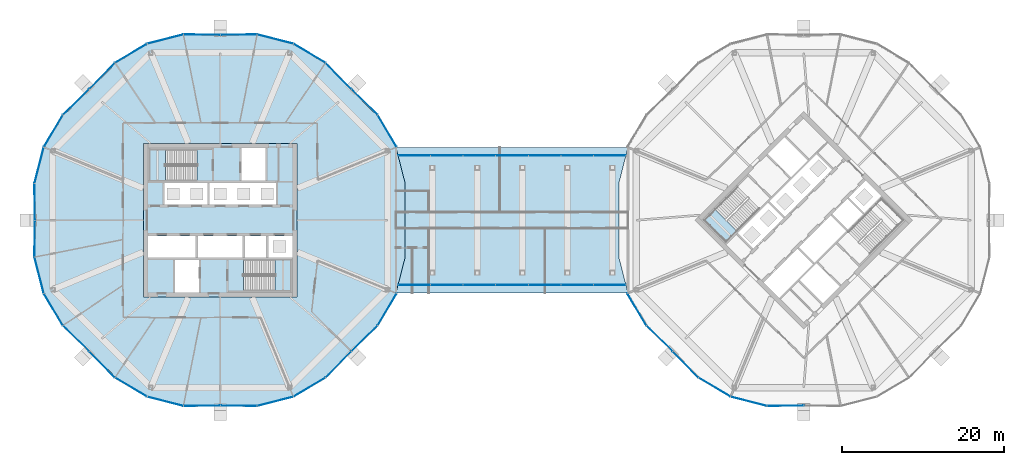
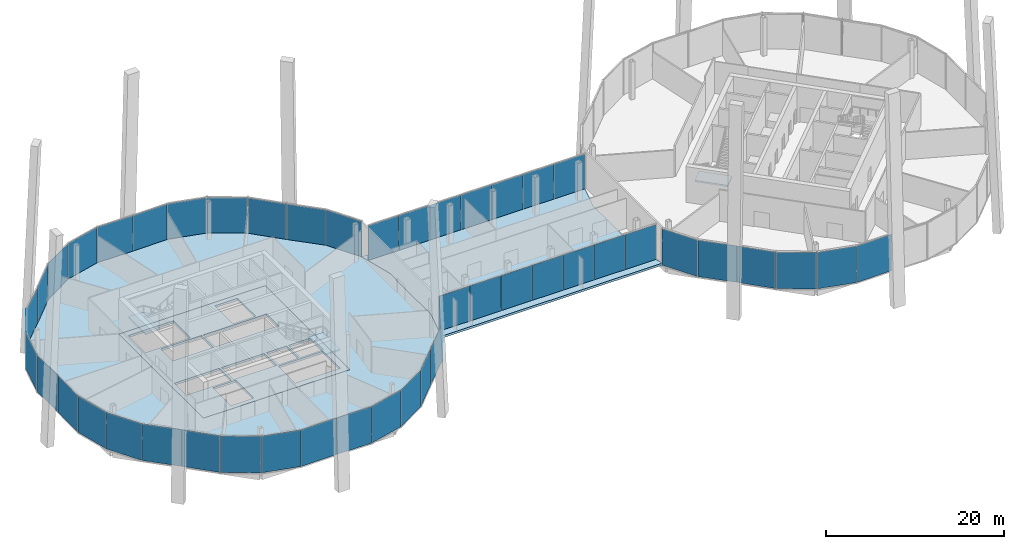
# One storey, part 17 of 28: 48 plates, 6 slabs, 15 elements without a shape of their own.
"""IFC4 building model written with IfcOpenShell, lengths in metres."""

from ifc_helpers import new_model, si_unit, direction, frame, origin, origin_2d, place, context, subcontext, project, spatial, polyline, rectangle, outline, extrude, material, layer, layer_set, type_object, element, aggregate, save


model = new_model("IFC4")

# Units and contexts
model_context = context("Model", 3, precision=1e-05, world=origin(), true_north=direction((0.0, 1.0)))
body_context = subcontext(model_context, "Body", "Model", "MODEL_VIEW")
ifc_project = project(units=[si_unit("LENGTHUNIT", "METRE"), si_unit("AREAUNIT", "SQUARE_METRE"), si_unit("VOLUMEUNIT", "CUBIC_METRE"), si_unit("PLANEANGLEUNIT", "RADIAN"), si_unit("MASSUNIT", "GRAM", prefix="KILO")], contexts=[model_context])

# Site, building, storey
site_placement = place(None, origin())
site = spatial("IfcSite", under=ifc_project, at=site_placement, CompositionType="ELEMENT")
building_placement = place(site_placement, origin())
building = spatial("IfcBuilding", under=site, at=building_placement, Name="Ogive Gate Towers", CompositionType="ELEMENT")
storey_placement = place(building_placement, frame((0.0, 0.0, 135.60009765625)))
storey = spatial("IfcBuildingStorey", under=building, at=storey_placement, Name="L32", CompositionType="ELEMENT", Elevation=135.60009765625)

# Slabs
ifc_material_1 = material(Name="Concrete C40/50", Category="concrete")
ifc_layer_1 = layer(ifc_material_1, 0.300048828125)
ifc_layer_set_1 = layer_set([ifc_layer_1], Name="Core slab C40/50 300 mm")
slab_type_1 = type_object("IfcSlabType", Name="Core slab C40/50 300 mm", PredefinedType="FLOOR", material=ifc_layer_set_1)
slab_1_placement = place(storey_placement, frame((0.0, 0.0, -0.300048828125)))
element("IfcSlab", 1, at=slab_1_placement, inside=storey, type_object=slab_type_1, Name="T1 L32 core slab", PredefinedType="FLOOR", context=body_context, shape_type="SweptSolid", body=[
    extrude(outline(polyline([(-26.5, 9.5), (-26.5, -9.5), (-45.5, -9.5), (-45.5, 9.5), (-26.5, 9.5)]), holes=[polyline([(-37.574951171875, 4.625), (-42.875, 4.625), (-42.875, 1.949951171875), (-37.574951171875, 1.949951171875), (-37.574951171875, 4.625)]), polyline([(-29.125, 1.949951171875), (-29.125, 4.625), (-37.324951171875, 4.625), (-37.324951171875, 1.949951171875), (-29.125, 1.949951171875)]), polyline([(-44.89990234375, -4.625), (-39.02490234375, -4.625), (-39.02490234375, -1.949951171875), (-44.89990234375, -1.949951171875), (-44.89990234375, -4.625)]), polyline([(-38.77490234375, -1.949951171875), (-38.77490234375, -4.625), (-33.22509765625, -4.625), (-33.22509765625, -1.949951171875), (-38.77490234375, -1.949951171875)]), polyline([(-30.324951171875, -1.949951171875), (-32.97509765625, -1.949951171875), (-32.97509765625, -4.625), (-30.324951171875, -4.625), (-30.324951171875, -1.949951171875)]), polyline([(-27.10009765625, -4.625), (-27.10009765625, -1.949951171875), (-30.074951171875, -1.949951171875), (-30.074951171875, -4.625), (-27.10009765625, -4.625)]), polyline([(-33.375, 4.875), (-30.425048828125, 4.875), (-30.425048828125, 8.89990234375), (-33.375, 8.89990234375), (-33.375, 4.875)]), polyline([(-41.574951171875, -4.875), (-41.574951171875, -8.89990234375), (-38.625, -8.89990234375), (-38.625, -4.875), (-41.574951171875, -4.875)]), polyline([(-44.699951171875, 4.875), (-38.885009765625, 4.875), (-38.885009765625, 8.699951171875), (-44.699951171875, 8.699951171875), (-44.699951171875, 4.875)]), polyline([(-27.300048828125, -8.699951171875), (-27.300048828125, -4.875), (-33.114990234375, -4.875), (-33.114990234375, -8.699951171875), (-27.300048828125, -8.699951171875)])]), origin(), (0.0, 0.0, 1.0), 0.300048828125),
])
ifc_material_2 = material(Name="Concrete C35/45", Category="concrete")
ifc_layer_2 = layer(ifc_material_2, 0.300048828125)
ifc_layer_set_2 = layer_set([ifc_layer_2], Name="Floor slab 300")
slab_type_2 = type_object("IfcSlabType", Name="Floor slab 300", PredefinedType="FLOOR", material=ifc_layer_set_2)
slab_2_placement = place(storey_placement, frame((0.0, 0.0, -0.300048828125)))
element("IfcSlab", 2, at=slab_2_placement, inside=storey, type_object=slab_type_2, Name="T1/L32/SSL001", PredefinedType="FLOOR", context=body_context, shape_type="SweptSolid", body=[
    extrude(outline(polyline([(-13.17724609375, -4.539794921875), (-13.22998046875, 0.0), (-13.17724609375, 4.539794921875), (-14.316650390625, 8.981689453125), (-16.651611328125, 12.92822265625), (-19.899169921875, 16.100830078125), (-23.07177734375, 19.348388671875), (-27.018310546875, 21.683349609375), (-31.460205078125, 22.82275390625), (-36.0, 22.77001953125), (-40.539794921875, 22.82275390625), (-44.981689453125, 21.683349609375), (-48.92822265625, 19.348388671875), (-52.100830078125, 16.100830078125), (-55.348388671875, 12.92822265625), (-57.683349609375, 8.981689453125), (-58.82275390625, 4.539794921875), (-58.77001953125, 0.0), (-58.82275390625, -4.539794921875), (-57.683349609375, -8.981689453125), (-55.348388671875, -12.92822265625), (-52.100830078125, -16.100830078125), (-48.92822265625, -19.348388671875), (-44.981689453125, -21.683349609375), (-40.539794921875, -22.82275390625), (-36.0, -22.77001953125), (-31.460205078125, -22.82275390625), (-27.018310546875, -21.683349609375), (-23.07177734375, -19.348388671875), (-19.899169921875, -16.100830078125), (-16.651611328125, -12.92822265625), (-14.316650390625, -8.981689453125), (-13.17724609375, -4.539794921875)]), holes=[polyline([(-26.5, -9.5), (-45.5, -9.5), (-45.5, 9.5), (-26.5, 9.5), (-26.5, -9.5)])]), origin(), (0.0, 0.0, 1.0), 0.300048828125),
])
slab_3_placement = place(storey_placement, frame((0.0, 0.0, -0.300048828125)))
element("IfcSlab", 3, at=slab_3_placement, inside=storey, type_object=slab_type_2, Name="BR/L32/SSL001", PredefinedType="FLOOR", context=body_context, shape_type="SweptSolid", body=[
    extrude(outline(polyline([(-14.316650390625, -8.981689453125), (14.316650390625, -8.981689453125), (14.316650390625, -8.981689453125), (13.17724609375, -4.539794921875), (13.22998046875, 0.0), (13.17724609375, 4.539794921875), (14.316650390625, 8.981689453125), (-14.316650390625, 8.981689453125), (-13.17724609375, 4.539794921875), (-13.22998046875, 0.0), (-13.17724609375, -4.539794921875), (-14.316650390625, -8.981689453125), (-14.316650390625, -8.981689453125)])), origin(), (0.0, 0.0, 1.0), 0.300048828125),
])

# Curtain wall, plates
ifc_material_3 = material(Name="Pale metal aluminium", Category="aluminium")
curtain_wall_type_1 = type_object("IfcCurtainWallType", Name="Gate block facade", PredefinedType="NOTDEFINED", material=ifc_material_3)
curtain_wall_1_placement = place(storey_placement, origin())
curtain_wall_1 = element("IfcCurtainWall", 4, at=curtain_wall_1_placement, inside=storey, type_object=curtain_wall_type_1, Name="CW3 BR ECW01", PredefinedType="NOTDEFINED")
ifc_material_4 = material(Name="Clear glass", Category="glass")
ifc_layer_3 = layer(ifc_material_4, 0.028076171875)
ifc_layer_set_3 = layer_set([ifc_layer_3], Name="Gate block facade glass panel")
plate_type_1 = type_object("IfcPlateType", Name="Gate block facade glass panel", PredefinedType="CURTAIN_PANEL", material=ifc_layer_set_3)
plate_1_placement = place(storey_placement, frame((-12.051513671875, -7.981689453125, -0.300048828125), z_axis=(0.0, 0.0, 1.0), x_axis=(1.0, 0.0, 0.0)))
plate_1 = element("IfcPlate", 5, at=plate_1_placement, type_object=plate_type_1, Name="CW3 glass panel", PredefinedType="CURTAIN_PANEL", context=body_context, shape_type="SweptSolid", body=[
    extrude(rectangle(XDim=3.963134765625, YDim=0.028076171875, at=origin_2d()), origin(), (0.0, 0.0, 1.0), 5.083984375),
])
plate_2_placement = place(storey_placement, frame((-8.0341796875, -7.981689453125, -0.300048828125), z_axis=(0.0, 0.0, 1.0), x_axis=(1.0, 0.0, 0.0)))
plate_2 = element("IfcPlate", 6, at=plate_2_placement, type_object=plate_type_1, Name="CW3 glass panel", PredefinedType="CURTAIN_PANEL", context=body_context, shape_type="SweptSolid", body=[
    extrude(rectangle(XDim=3.963134765625, YDim=0.028076171875, at=origin_2d()), origin(), (0.0, 0.0, 1.0), 5.083984375),
])
plate_3_placement = place(storey_placement, frame((-4.01708984375, -7.981689453125, -0.300048828125), z_axis=(0.0, 0.0, 1.0), x_axis=(1.0, 0.0, 0.0)))
plate_3 = element("IfcPlate", 7, at=plate_3_placement, type_object=plate_type_1, Name="CW3 glass panel", PredefinedType="CURTAIN_PANEL", context=body_context, shape_type="SweptSolid", body=[
    extrude(rectangle(XDim=3.963134765625, YDim=0.028076171875, at=origin_2d()), origin(), (0.0, 0.0, 1.0), 5.083984375),
])
plate_4_placement = place(storey_placement, frame((0.0, -7.981689453125, -0.300048828125), z_axis=(0.0, 0.0, 1.0), x_axis=(1.0, 0.0, 0.0)))
plate_4 = element("IfcPlate", 8, at=plate_4_placement, type_object=plate_type_1, Name="CW3 glass panel", PredefinedType="CURTAIN_PANEL", context=body_context, shape_type="SweptSolid", body=[
    extrude(rectangle(XDim=3.963134765625, YDim=0.028076171875, at=origin_2d()), origin(), (0.0, 0.0, 1.0), 5.083984375),
])
plate_5_placement = place(storey_placement, frame((4.01708984375, -7.981689453125, -0.300048828125), z_axis=(0.0, 0.0, 1.0), x_axis=(1.0, 0.0, 0.0)))
plate_5 = element("IfcPlate", 9, at=plate_5_placement, type_object=plate_type_1, Name="CW3 glass panel", PredefinedType="CURTAIN_PANEL", context=body_context, shape_type="SweptSolid", body=[
    extrude(rectangle(XDim=3.963134765625, YDim=0.028076171875, at=origin_2d()), origin(), (0.0, 0.0, 1.0), 5.083984375),
])
plate_6_placement = place(storey_placement, frame((8.0341796875, -7.981689453125, -0.300048828125), z_axis=(0.0, 0.0, 1.0), x_axis=(1.0, 0.0, 0.0)))
plate_6 = element("IfcPlate", 10, at=plate_6_placement, type_object=plate_type_1, Name="CW3 glass panel", PredefinedType="CURTAIN_PANEL", context=body_context, shape_type="SweptSolid", body=[
    extrude(rectangle(XDim=3.963134765625, YDim=0.028076171875, at=origin_2d()), origin(), (0.0, 0.0, 1.0), 5.083984375),
])
plate_7_placement = place(storey_placement, frame((12.051513671875, -7.981689453125, -0.300048828125), z_axis=(0.0, 0.0, 1.0), x_axis=(1.0, 0.0, 0.0)))
plate_7 = element("IfcPlate", 11, at=plate_7_placement, type_object=plate_type_1, Name="CW3 glass panel", PredefinedType="CURTAIN_PANEL", context=body_context, shape_type="SweptSolid", body=[
    extrude(rectangle(XDim=3.963134765625, YDim=0.028076171875, at=origin_2d()), origin(), (0.0, 0.0, 1.0), 5.083984375),
])
aggregate(curtain_wall_1, [plate_1, plate_2, plate_3, plate_4, plate_5, plate_6, plate_7])

curtain_wall_2_placement = place(storey_placement, origin())
curtain_wall_2 = element("IfcCurtainWall", 12, at=curtain_wall_2_placement, inside=storey, type_object=curtain_wall_type_1, Name="CW3 BR ECW02", PredefinedType="NOTDEFINED")
plate_8_placement = place(storey_placement, frame((12.051513671875, 7.981689453125, -0.300048828125), z_axis=(0.0, 0.0, 1.0), x_axis=(-1.0, 0.0, 0.0)))
plate_8 = element("IfcPlate", 13, at=plate_8_placement, type_object=plate_type_1, Name="CW3 glass panel", PredefinedType="CURTAIN_PANEL", context=body_context, shape_type="SweptSolid", body=[
    extrude(rectangle(XDim=3.963134765625, YDim=0.028076171875, at=origin_2d()), origin(), (0.0, 0.0, 1.0), 5.083984375),
])
plate_9_placement = place(storey_placement, frame((8.0341796875, 7.981689453125, -0.300048828125), z_axis=(0.0, 0.0, 1.0), x_axis=(-1.0, 0.0, 0.0)))
plate_9 = element("IfcPlate", 14, at=plate_9_placement, type_object=plate_type_1, Name="CW3 glass panel", PredefinedType="CURTAIN_PANEL", context=body_context, shape_type="SweptSolid", body=[
    extrude(rectangle(XDim=3.963134765625, YDim=0.028076171875, at=origin_2d()), origin(), (0.0, 0.0, 1.0), 5.083984375),
])
plate_10_placement = place(storey_placement, frame((4.01708984375, 7.981689453125, -0.300048828125), z_axis=(0.0, 0.0, 1.0), x_axis=(-1.0, 0.0, 0.0)))
plate_10 = element("IfcPlate", 15, at=plate_10_placement, type_object=plate_type_1, Name="CW3 glass panel", PredefinedType="CURTAIN_PANEL", context=body_context, shape_type="SweptSolid", body=[
    extrude(rectangle(XDim=3.963134765625, YDim=0.028076171875, at=origin_2d()), origin(), (0.0, 0.0, 1.0), 5.083984375),
])
plate_11_placement = place(storey_placement, frame((0.0, 7.981689453125, -0.300048828125), z_axis=(0.0, 0.0, 1.0), x_axis=(-1.0, 0.0, 0.0)))
plate_11 = element("IfcPlate", 16, at=plate_11_placement, type_object=plate_type_1, Name="CW3 glass panel", PredefinedType="CURTAIN_PANEL", context=body_context, shape_type="SweptSolid", body=[
    extrude(rectangle(XDim=3.963134765625, YDim=0.028076171875, at=origin_2d()), origin(), (0.0, 0.0, 1.0), 5.083984375),
])
plate_12_placement = place(storey_placement, frame((-4.01708984375, 7.981689453125, -0.300048828125), z_axis=(0.0, 0.0, 1.0), x_axis=(-1.0, 0.0, 0.0)))
plate_12 = element("IfcPlate", 17, at=plate_12_placement, type_object=plate_type_1, Name="CW3 glass panel", PredefinedType="CURTAIN_PANEL", context=body_context, shape_type="SweptSolid", body=[
    extrude(rectangle(XDim=3.963134765625, YDim=0.028076171875, at=origin_2d()), origin(), (0.0, 0.0, 1.0), 5.083984375),
])
plate_13_placement = place(storey_placement, frame((-8.0341796875, 7.981689453125, -0.300048828125), z_axis=(0.0, 0.0, 1.0), x_axis=(-1.0, 0.0, 0.0)))
plate_13 = element("IfcPlate", 18, at=plate_13_placement, type_object=plate_type_1, Name="CW3 glass panel", PredefinedType="CURTAIN_PANEL", context=body_context, shape_type="SweptSolid", body=[
    extrude(rectangle(XDim=3.963134765625, YDim=0.028076171875, at=origin_2d()), origin(), (0.0, 0.0, 1.0), 5.083984375),
])
plate_14_placement = place(storey_placement, frame((-12.051513671875, 7.981689453125, -0.300048828125), z_axis=(0.0, 0.0, 1.0), x_axis=(-1.0, 0.0, 0.0)))
plate_14 = element("IfcPlate", 19, at=plate_14_placement, type_object=plate_type_1, Name="CW3 glass panel", PredefinedType="CURTAIN_PANEL", context=body_context, shape_type="SweptSolid", body=[
    extrude(rectangle(XDim=3.963134765625, YDim=0.028076171875, at=origin_2d()), origin(), (0.0, 0.0, 1.0), 5.083984375),
])
aggregate(curtain_wall_2, [plate_8, plate_9, plate_10, plate_11, plate_12, plate_13, plate_14])

# Stair, slab
stair_type = type_object("IfcStairType", Name="Escape stair 1840 wide", PredefinedType="HALF_TURN_STAIR", material=ifc_material_1)
stair_1_placement = place(storey_placement, origin())
stair_1 = element("IfcStair", 20, at=stair_1_placement, inside=storey, type_object=stair_type, Name="L32 Escape stair 1", PredefinedType="HALF_TURN_STAIR")
ifc_layer_4 = layer(ifc_material_1, 0.199951171875)
ifc_layer_set_4 = layer_set([ifc_layer_4], Name="Stair landing 200 mm")
slab_type_3 = type_object("IfcSlabType", Name="Stair landing 200 mm", PredefinedType="LANDING", material=ifc_layer_set_4)
slab_4_placement = place(storey_placement, frame((0.0, 0.0, 2.39990234375)))
slab_4 = element("IfcSlab", 21, at=slab_4_placement, type_object=slab_type_3, Name="ST1 landing 1", PredefinedType="LANDING", context=body_context, shape_type="SweptSolid", body=[
    extrude(outline(polyline([(-42.784912109375, 8.699951171875), (-44.699951171875, 8.699951171875), (-44.699951171875, 4.875), (-42.784912109375, 4.875), (-42.784912109375, 8.699951171875)])), origin(), (0.0, 0.0, 1.0), 0.199951171875),
])
aggregate(stair_1, [slab_4])

stair_2_placement = place(storey_placement, origin())
stair_2 = element("IfcStair", 22, at=stair_2_placement, inside=storey, type_object=stair_type, Name="L32 Escape stair 2", PredefinedType="HALF_TURN_STAIR")
slab_5_placement = place(storey_placement, frame((0.0, 0.0, 2.39990234375)))
slab_5 = element("IfcSlab", 23, at=slab_5_placement, type_object=slab_type_3, Name="ST2 landing 1", PredefinedType="LANDING", context=body_context, shape_type="SweptSolid", body=[
    extrude(outline(polyline([(-29.215087890625, -8.699951171875), (-27.300048828125, -8.699951171875), (-27.300048828125, -4.875), (-29.215087890625, -4.875), (-29.215087890625, -8.699951171875)])), origin(), (0.0, 0.0, 1.0), 0.199951171875),
])
aggregate(stair_2, [slab_5])

stair_3_placement = place(storey_placement, origin())
stair_3 = element("IfcStair", 24, at=stair_3_placement, inside=storey, type_object=stair_type, Name="L32 Escape stair 1", PredefinedType="HALF_TURN_STAIR")
slab_6_placement = place(storey_placement, frame((0.0, 0.0, 2.39990234375)))
slab_6 = element("IfcSlab", 25, at=slab_6_placement, type_object=slab_type_3, Name="ST1 landing 1", PredefinedType="LANDING", context=body_context, shape_type="SweptSolid", body=[
    extrude(outline(polyline([(25.050537109375, 1.35400390625), (23.6962890625, 0.0), (26.401123046875, -2.70458984375), (27.755126953125, -1.3505859375), (25.050537109375, 1.35400390625)])), origin(), (0.0, 0.0, 1.0), 0.199951171875),
])
aggregate(stair_3, [slab_6])

# Curtain wall, plates
curtain_wall_type_2 = type_object("IfcCurtainWallType", Name="Tower unitised wall, high zone", PredefinedType="NOTDEFINED", material=ifc_material_3)
curtain_wall_3_placement = place(storey_placement, origin())
curtain_wall_3 = element("IfcCurtainWall", 26, at=curtain_wall_3_placement, inside=storey, type_object=curtain_wall_type_2, Name="CW2 T1 ECW01", PredefinedType="NOTDEFINED")
ifc_layer_5 = layer(ifc_material_4, 0.028076171875)
ifc_layer_set_5 = layer_set([ifc_layer_5], Name="Tower unitised wall, high zone glass panel")
plate_type_2 = type_object("IfcPlateType", Name="Tower unitised wall, high zone glass panel", PredefinedType="CURTAIN_PANEL", material=ifc_layer_set_5)
plate_15_placement = place(storey_placement, frame((-15.396728515625, 11.003662109375, -0.2041015625), z_axis=(0.0, 0.0, 1.0), x_axis=(-0.509236698817, 0.860626507016, 0.0)))
plate_15 = element("IfcPlate", 27, at=plate_15_placement, type_object=plate_type_2, Name="CW2 glass panel", PredefinedType="CURTAIN_PANEL", context=body_context, shape_type="SweptSolid", body=[
    extrude(rectangle(XDim=4.555419921875, YDim=0.028076171875, at=origin_2d()), origin(), (0.0, 0.0, 1.0), 5.008056640625),
])
plate_16_placement = place(storey_placement, frame((-18.201904296875, 14.582275390625, -0.2041015625), z_axis=(0.0, 0.0, 1.0), x_axis=(-0.715302553421, 0.698814894711, 0.0)))
plate_16 = element("IfcPlate", 28, at=plate_16_placement, type_object=plate_type_2, Name="CW2 glass panel", PredefinedType="CURTAIN_PANEL", context=body_context, shape_type="SweptSolid", body=[
    extrude(rectangle(XDim=4.494140625, YDim=0.028076171875, at=origin_2d()), origin(), (0.0, 0.0, 1.0), 5.008056640625),
])
aggregate(curtain_wall_3, [plate_15, plate_16])

curtain_wall_4_placement = place(storey_placement, origin())
curtain_wall_4 = element("IfcCurtainWall", 29, at=curtain_wall_4_placement, inside=storey, type_object=curtain_wall_type_2, Name="CW2 T1 ECW02", PredefinedType="NOTDEFINED")
plate_17_placement = place(storey_placement, frame((-21.417724609375, 17.798095703125, -0.2041015625), z_axis=(0.0, 0.0, 1.0), x_axis=(-0.698814894711, 0.715302553421, 0.0)))
plate_17 = element("IfcPlate", 30, at=plate_17_placement, type_object=plate_type_2, Name="CW2 glass panel", PredefinedType="CURTAIN_PANEL", context=body_context, shape_type="SweptSolid", body=[
    extrude(rectangle(XDim=4.494140625, YDim=0.028076171875, at=origin_2d()), origin(), (0.0, 0.0, 1.0), 5.008056640625),
])
plate_18_placement = place(storey_placement, frame((-24.99462890625, 20.602294921875, -0.2041015625), z_axis=(0.0, 0.0, 1.0), x_axis=(-0.860626507016, 0.509236698817, 0.0)))
plate_18 = element("IfcPlate", 31, at=plate_18_placement, type_object=plate_type_2, Name="CW2 glass panel", PredefinedType="CURTAIN_PANEL", context=body_context, shape_type="SweptSolid", body=[
    extrude(rectangle(XDim=4.55126953125, YDim=0.028076171875, at=origin_2d()), origin(), (0.0, 0.0, 1.0), 5.008056640625),
])
plate_19_placement = place(storey_placement, frame((-29.214111328125, 22.349853515625, -0.2041015625), z_axis=(0.0, 0.0, 1.0), x_axis=(-0.968639562142, 0.248470116217, 0.0)))
plate_19 = element("IfcPlate", 32, at=plate_19_placement, type_object=plate_type_2, Name="CW2 glass panel", PredefinedType="CURTAIN_PANEL", context=body_context, shape_type="SweptSolid", body=[
    extrude(rectangle(XDim=4.55126953125, YDim=0.028076171875, at=origin_2d()), origin(), (0.0, 0.0, 1.0), 5.008056640625),
])
plate_20_placement = place(storey_placement, frame((-33.72607421875, 22.896484375, -0.2041015625), z_axis=(0.0, 0.0, 1.0), x_axis=(-0.999932240296, -0.011641083172, 0.0)))
plate_20 = element("IfcPlate", 33, at=plate_20_placement, type_object=plate_type_2, Name="CW2 glass panel", PredefinedType="CURTAIN_PANEL", context=body_context, shape_type="SweptSolid", body=[
    extrude(rectangle(XDim=4.494384765625, YDim=0.028076171875, at=origin_2d()), origin(), (0.0, 0.0, 1.0), 5.008056640625),
])
aggregate(curtain_wall_4, [plate_17, plate_18, plate_19, plate_20])

curtain_wall_5_placement = place(storey_placement, origin())
curtain_wall_5 = element("IfcCurtainWall", 34, at=curtain_wall_5_placement, inside=storey, type_object=curtain_wall_type_2, Name="CW2 T1 ECW03", PredefinedType="NOTDEFINED")
plate_21_placement = place(storey_placement, frame((-38.27392578125, 22.896484375, -0.2041015625), z_axis=(0.0, 0.0, 1.0), x_axis=(-0.999932240296, 0.011641083172, 0.0)))
plate_21 = element("IfcPlate", 35, at=plate_21_placement, type_object=plate_type_2, Name="CW2 glass panel", PredefinedType="CURTAIN_PANEL", context=body_context, shape_type="SweptSolid", body=[
    extrude(rectangle(XDim=4.494384765625, YDim=0.028076171875, at=origin_2d()), origin(), (0.0, 0.0, 1.0), 5.008056640625),
])
plate_22_placement = place(storey_placement, frame((-42.785888671875, 22.349853515625, -0.2041015625), z_axis=(0.0, 0.0, 1.0), x_axis=(-0.968639562142, -0.248470116217, 0.0)))
plate_22 = element("IfcPlate", 36, at=plate_22_placement, type_object=plate_type_2, Name="CW2 glass panel", PredefinedType="CURTAIN_PANEL", context=body_context, shape_type="SweptSolid", body=[
    extrude(rectangle(XDim=4.55126953125, YDim=0.028076171875, at=origin_2d()), origin(), (0.0, 0.0, 1.0), 5.008056640625),
])
plate_23_placement = place(storey_placement, frame((-47.00537109375, 20.602294921875, -0.2041015625), z_axis=(0.0, 0.0, 1.0), x_axis=(-0.860626507016, -0.509236698817, 0.0)))
plate_23 = element("IfcPlate", 37, at=plate_23_placement, type_object=plate_type_2, Name="CW2 glass panel", PredefinedType="CURTAIN_PANEL", context=body_context, shape_type="SweptSolid", body=[
    extrude(rectangle(XDim=4.55126953125, YDim=0.028076171875, at=origin_2d()), origin(), (0.0, 0.0, 1.0), 5.008056640625),
])
plate_24_placement = place(storey_placement, frame((-50.582275390625, 17.798095703125, -0.2041015625), z_axis=(0.0, 0.0, 1.0), x_axis=(-0.698814894711, -0.715302553421, 0.0)))
plate_24 = element("IfcPlate", 38, at=plate_24_placement, type_object=plate_type_2, Name="CW2 glass panel", PredefinedType="CURTAIN_PANEL", context=body_context, shape_type="SweptSolid", body=[
    extrude(rectangle(XDim=4.494140625, YDim=0.028076171875, at=origin_2d()), origin(), (0.0, 0.0, 1.0), 5.008056640625),
])
aggregate(curtain_wall_5, [plate_21, plate_22, plate_23, plate_24])

curtain_wall_6_placement = place(storey_placement, origin())
curtain_wall_6 = element("IfcCurtainWall", 39, at=curtain_wall_6_placement, inside=storey, type_object=curtain_wall_type_2, Name="CW2 T1 ECW04", PredefinedType="NOTDEFINED")
plate_25_placement = place(storey_placement, frame((-53.798095703125, 14.582275390625, -0.2041015625), z_axis=(0.0, 0.0, 1.0), x_axis=(-0.715302553421, -0.698814894711, 0.0)))
plate_25 = element("IfcPlate", 40, at=plate_25_placement, type_object=plate_type_2, Name="CW2 glass panel", PredefinedType="CURTAIN_PANEL", context=body_context, shape_type="SweptSolid", body=[
    extrude(rectangle(XDim=4.494140625, YDim=0.028076171875, at=origin_2d()), origin(), (0.0, 0.0, 1.0), 5.008056640625),
])
plate_26_placement = place(storey_placement, frame((-56.602294921875, 11.00537109375, -0.2041015625), z_axis=(0.0, 0.0, 1.0), x_axis=(-0.509236698817, -0.860626507016, 0.0)))
plate_26 = element("IfcPlate", 41, at=plate_26_placement, type_object=plate_type_2, Name="CW2 glass panel", PredefinedType="CURTAIN_PANEL", context=body_context, shape_type="SweptSolid", body=[
    extrude(rectangle(XDim=4.55126953125, YDim=0.028076171875, at=origin_2d()), origin(), (0.0, 0.0, 1.0), 5.008056640625),
])
plate_27_placement = place(storey_placement, frame((-58.349853515625, 6.785888671875, -0.2041015625), z_axis=(0.0, 0.0, 1.0), x_axis=(-0.248470116217, -0.968639562142, 0.0)))
plate_27 = element("IfcPlate", 42, at=plate_27_placement, type_object=plate_type_2, Name="CW2 glass panel", PredefinedType="CURTAIN_PANEL", context=body_context, shape_type="SweptSolid", body=[
    extrude(rectangle(XDim=4.55126953125, YDim=0.028076171875, at=origin_2d()), origin(), (0.0, 0.0, 1.0), 5.008056640625),
])
plate_28_placement = place(storey_placement, frame((-58.896484375, 2.27392578125, -0.2041015625), z_axis=(0.0, 0.0, 1.0), x_axis=(0.011641083172, -0.999932240296, 0.0)))
plate_28 = element("IfcPlate", 43, at=plate_28_placement, type_object=plate_type_2, Name="CW2 glass panel", PredefinedType="CURTAIN_PANEL", context=body_context, shape_type="SweptSolid", body=[
    extrude(rectangle(XDim=4.494384765625, YDim=0.028076171875, at=origin_2d()), origin(), (0.0, 0.0, 1.0), 5.008056640625),
])
aggregate(curtain_wall_6, [plate_25, plate_26, plate_27, plate_28])

curtain_wall_7_placement = place(storey_placement, origin())
curtain_wall_7 = element("IfcCurtainWall", 44, at=curtain_wall_7_placement, inside=storey, type_object=curtain_wall_type_2, Name="CW2 T1 ECW05", PredefinedType="NOTDEFINED")
plate_29_placement = place(storey_placement, frame((-58.896484375, -2.27392578125, -0.2041015625), z_axis=(0.0, 0.0, 1.0), x_axis=(-0.011641083172, -0.999932240296, 0.0)))
plate_29 = element("IfcPlate", 45, at=plate_29_placement, type_object=plate_type_2, Name="CW2 glass panel", PredefinedType="CURTAIN_PANEL", context=body_context, shape_type="SweptSolid", body=[
    extrude(rectangle(XDim=4.494384765625, YDim=0.028076171875, at=origin_2d()), origin(), (0.0, 0.0, 1.0), 5.008056640625),
])
plate_30_placement = place(storey_placement, frame((-58.349853515625, -6.785888671875, -0.2041015625), z_axis=(0.0, 0.0, 1.0), x_axis=(0.248470116217, -0.968639562142, 0.0)))
plate_30 = element("IfcPlate", 46, at=plate_30_placement, type_object=plate_type_2, Name="CW2 glass panel", PredefinedType="CURTAIN_PANEL", context=body_context, shape_type="SweptSolid", body=[
    extrude(rectangle(XDim=4.55126953125, YDim=0.028076171875, at=origin_2d()), origin(), (0.0, 0.0, 1.0), 5.008056640625),
])
plate_31_placement = place(storey_placement, frame((-56.602294921875, -11.00537109375, -0.2041015625), z_axis=(0.0, 0.0, 1.0), x_axis=(0.509236698817, -0.860626507016, 0.0)))
plate_31 = element("IfcPlate", 47, at=plate_31_placement, type_object=plate_type_2, Name="CW2 glass panel", PredefinedType="CURTAIN_PANEL", context=body_context, shape_type="SweptSolid", body=[
    extrude(rectangle(XDim=4.55126953125, YDim=0.028076171875, at=origin_2d()), origin(), (0.0, 0.0, 1.0), 5.008056640625),
])
plate_32_placement = place(storey_placement, frame((-53.798095703125, -14.582275390625, -0.2041015625), z_axis=(0.0, 0.0, 1.0), x_axis=(0.715302553421, -0.698814894711, 0.0)))
plate_32 = element("IfcPlate", 48, at=plate_32_placement, type_object=plate_type_2, Name="CW2 glass panel", PredefinedType="CURTAIN_PANEL", context=body_context, shape_type="SweptSolid", body=[
    extrude(rectangle(XDim=4.494140625, YDim=0.028076171875, at=origin_2d()), origin(), (0.0, 0.0, 1.0), 5.008056640625),
])
aggregate(curtain_wall_7, [plate_29, plate_30, plate_31, plate_32])

curtain_wall_8_placement = place(storey_placement, origin())
curtain_wall_8 = element("IfcCurtainWall", 49, at=curtain_wall_8_placement, inside=storey, type_object=curtain_wall_type_2, Name="CW2 T1 ECW06", PredefinedType="NOTDEFINED")
plate_33_placement = place(storey_placement, frame((-50.582275390625, -17.798095703125, -0.2041015625), z_axis=(0.0, 0.0, 1.0), x_axis=(0.698814894711, -0.715302553421, 0.0)))
plate_33 = element("IfcPlate", 50, at=plate_33_placement, type_object=plate_type_2, Name="CW2 glass panel", PredefinedType="CURTAIN_PANEL", context=body_context, shape_type="SweptSolid", body=[
    extrude(rectangle(XDim=4.494140625, YDim=0.028076171875, at=origin_2d()), origin(), (0.0, 0.0, 1.0), 5.008056640625),
])
plate_34_placement = place(storey_placement, frame((-47.00537109375, -20.602294921875, -0.2041015625), z_axis=(0.0, 0.0, 1.0), x_axis=(0.860626507016, -0.509236698817, 0.0)))
plate_34 = element("IfcPlate", 51, at=plate_34_placement, type_object=plate_type_2, Name="CW2 glass panel", PredefinedType="CURTAIN_PANEL", context=body_context, shape_type="SweptSolid", body=[
    extrude(rectangle(XDim=4.55126953125, YDim=0.028076171875, at=origin_2d()), origin(), (0.0, 0.0, 1.0), 5.008056640625),
])
plate_35_placement = place(storey_placement, frame((-42.785888671875, -22.349853515625, -0.2041015625), z_axis=(0.0, 0.0, 1.0), x_axis=(0.968639562142, -0.248470116217, 0.0)))
plate_35 = element("IfcPlate", 52, at=plate_35_placement, type_object=plate_type_2, Name="CW2 glass panel", PredefinedType="CURTAIN_PANEL", context=body_context, shape_type="SweptSolid", body=[
    extrude(rectangle(XDim=4.55126953125, YDim=0.028076171875, at=origin_2d()), origin(), (0.0, 0.0, 1.0), 5.008056640625),
])
plate_36_placement = place(storey_placement, frame((-38.27392578125, -22.896484375, -0.2041015625), z_axis=(0.0, 0.0, 1.0), x_axis=(0.999932240296, 0.011641083172, 0.0)))
plate_36 = element("IfcPlate", 53, at=plate_36_placement, type_object=plate_type_2, Name="CW2 glass panel", PredefinedType="CURTAIN_PANEL", context=body_context, shape_type="SweptSolid", body=[
    extrude(rectangle(XDim=4.494384765625, YDim=0.028076171875, at=origin_2d()), origin(), (0.0, 0.0, 1.0), 5.008056640625),
])
aggregate(curtain_wall_8, [plate_33, plate_34, plate_35, plate_36])

curtain_wall_9_placement = place(storey_placement, origin())
curtain_wall_9 = element("IfcCurtainWall", 54, at=curtain_wall_9_placement, inside=storey, type_object=curtain_wall_type_2, Name="CW2 T1 ECW07", PredefinedType="NOTDEFINED")
plate_37_placement = place(storey_placement, frame((-33.72607421875, -22.896484375, -0.2041015625), z_axis=(0.0, 0.0, 1.0), x_axis=(0.999932240296, -0.011641083172, 0.0)))
plate_37 = element("IfcPlate", 55, at=plate_37_placement, type_object=plate_type_2, Name="CW2 glass panel", PredefinedType="CURTAIN_PANEL", context=body_context, shape_type="SweptSolid", body=[
    extrude(rectangle(XDim=4.494384765625, YDim=0.028076171875, at=origin_2d()), origin(), (0.0, 0.0, 1.0), 5.008056640625),
])
plate_38_placement = place(storey_placement, frame((-29.214111328125, -22.349853515625, -0.2041015625), z_axis=(0.0, 0.0, 1.0), x_axis=(0.968639562142, 0.248470116217, 0.0)))
plate_38 = element("IfcPlate", 56, at=plate_38_placement, type_object=plate_type_2, Name="CW2 glass panel", PredefinedType="CURTAIN_PANEL", context=body_context, shape_type="SweptSolid", body=[
    extrude(rectangle(XDim=4.55126953125, YDim=0.028076171875, at=origin_2d()), origin(), (0.0, 0.0, 1.0), 5.008056640625),
])
plate_39_placement = place(storey_placement, frame((-24.99462890625, -20.602294921875, -0.2041015625), z_axis=(0.0, 0.0, 1.0), x_axis=(0.860626507016, 0.509236698817, 0.0)))
plate_39 = element("IfcPlate", 57, at=plate_39_placement, type_object=plate_type_2, Name="CW2 glass panel", PredefinedType="CURTAIN_PANEL", context=body_context, shape_type="SweptSolid", body=[
    extrude(rectangle(XDim=4.55126953125, YDim=0.028076171875, at=origin_2d()), origin(), (0.0, 0.0, 1.0), 5.008056640625),
])
plate_40_placement = place(storey_placement, frame((-21.417724609375, -17.798095703125, -0.2041015625), z_axis=(0.0, 0.0, 1.0), x_axis=(0.698814894711, 0.715302553421, 0.0)))
plate_40 = element("IfcPlate", 58, at=plate_40_placement, type_object=plate_type_2, Name="CW2 glass panel", PredefinedType="CURTAIN_PANEL", context=body_context, shape_type="SweptSolid", body=[
    extrude(rectangle(XDim=4.494140625, YDim=0.028076171875, at=origin_2d()), origin(), (0.0, 0.0, 1.0), 5.008056640625),
])
aggregate(curtain_wall_9, [plate_37, plate_38, plate_39, plate_40])

curtain_wall_10_placement = place(storey_placement, origin())
curtain_wall_10 = element("IfcCurtainWall", 59, at=curtain_wall_10_placement, inside=storey, type_object=curtain_wall_type_2, Name="CW2 T1 ECW08", PredefinedType="NOTDEFINED")
plate_41_placement = place(storey_placement, frame((-18.201904296875, -14.582275390625, -0.2041015625), z_axis=(0.0, 0.0, 1.0), x_axis=(0.715302553421, 0.698814894711, 0.0)))
plate_41 = element("IfcPlate", 60, at=plate_41_placement, type_object=plate_type_2, Name="CW2 glass panel", PredefinedType="CURTAIN_PANEL", context=body_context, shape_type="SweptSolid", body=[
    extrude(rectangle(XDim=4.494140625, YDim=0.028076171875, at=origin_2d()), origin(), (0.0, 0.0, 1.0), 5.008056640625),
])
plate_42_placement = place(storey_placement, frame((-15.396728515625, -11.003662109375, -0.2041015625), z_axis=(0.0, 0.0, 1.0), x_axis=(0.509236698817, 0.860626507016, 0.0)))
plate_42 = element("IfcPlate", 61, at=plate_42_placement, type_object=plate_type_2, Name="CW2 glass panel", PredefinedType="CURTAIN_PANEL", context=body_context, shape_type="SweptSolid", body=[
    extrude(rectangle(XDim=4.555419921875, YDim=0.028076171875, at=origin_2d()), origin(), (0.0, 0.0, 1.0), 5.008056640625),
])
aggregate(curtain_wall_10, [plate_41, plate_42])

curtain_wall_11_placement = place(storey_placement, origin())
curtain_wall_11 = element("IfcCurtainWall", 62, at=curtain_wall_11_placement, inside=storey, type_object=curtain_wall_type_2, Name="CW2 T2 ECW05", PredefinedType="NOTDEFINED")
plate_43_placement = place(storey_placement, frame((15.396728515625, -11.003662109375, -0.2041015625), z_axis=(0.0, 0.0, 1.0), x_axis=(0.509236698817, -0.860626507016, 0.0)))
plate_43 = element("IfcPlate", 63, at=plate_43_placement, type_object=plate_type_2, Name="CW2 glass panel", PredefinedType="CURTAIN_PANEL", context=body_context, shape_type="SweptSolid", body=[
    extrude(rectangle(XDim=4.555419921875, YDim=0.028076171875, at=origin_2d()), origin(), (0.0, 0.0, 1.0), 5.008056640625),
])
plate_44_placement = place(storey_placement, frame((18.201904296875, -14.582275390625, -0.2041015625), z_axis=(0.0, 0.0, 1.0), x_axis=(0.715302553421, -0.698814894711, 0.0)))
plate_44 = element("IfcPlate", 64, at=plate_44_placement, type_object=plate_type_2, Name="CW2 glass panel", PredefinedType="CURTAIN_PANEL", context=body_context, shape_type="SweptSolid", body=[
    extrude(rectangle(XDim=4.494140625, YDim=0.028076171875, at=origin_2d()), origin(), (0.0, 0.0, 1.0), 5.008056640625),
])
aggregate(curtain_wall_11, [plate_43, plate_44])

curtain_wall_12_placement = place(storey_placement, origin())
curtain_wall_12 = element("IfcCurtainWall", 65, at=curtain_wall_12_placement, inside=storey, type_object=curtain_wall_type_2, Name="CW2 T2 ECW06", PredefinedType="NOTDEFINED")
plate_45_placement = place(storey_placement, frame((21.417724609375, -17.798095703125, -0.2041015625), z_axis=(0.0, 0.0, 1.0), x_axis=(0.698814894711, -0.715302553421, 0.0)))
plate_45 = element("IfcPlate", 66, at=plate_45_placement, type_object=plate_type_2, Name="CW2 glass panel", PredefinedType="CURTAIN_PANEL", context=body_context, shape_type="SweptSolid", body=[
    extrude(rectangle(XDim=4.494140625, YDim=0.028076171875, at=origin_2d()), origin(), (0.0, 0.0, 1.0), 5.008056640625),
])
plate_46_placement = place(storey_placement, frame((24.99462890625, -20.602294921875, -0.2041015625), z_axis=(0.0, 0.0, 1.0), x_axis=(0.860626507016, -0.509236698817, 0.0)))
plate_46 = element("IfcPlate", 67, at=plate_46_placement, type_object=plate_type_2, Name="CW2 glass panel", PredefinedType="CURTAIN_PANEL", context=body_context, shape_type="SweptSolid", body=[
    extrude(rectangle(XDim=4.55126953125, YDim=0.028076171875, at=origin_2d()), origin(), (0.0, 0.0, 1.0), 5.008056640625),
])
plate_47_placement = place(storey_placement, frame((29.214111328125, -22.349853515625, -0.2041015625), z_axis=(0.0, 0.0, 1.0), x_axis=(0.968639562142, -0.248470116217, 0.0)))
plate_47 = element("IfcPlate", 68, at=plate_47_placement, type_object=plate_type_2, Name="CW2 glass panel", PredefinedType="CURTAIN_PANEL", context=body_context, shape_type="SweptSolid", body=[
    extrude(rectangle(XDim=4.55126953125, YDim=0.028076171875, at=origin_2d()), origin(), (0.0, 0.0, 1.0), 5.008056640625),
])
plate_48_placement = place(storey_placement, frame((33.72607421875, -22.896484375, -0.2041015625), z_axis=(0.0, 0.0, 1.0), x_axis=(0.999932240296, 0.011641083172, 0.0)))
plate_48 = element("IfcPlate", 69, at=plate_48_placement, type_object=plate_type_2, Name="CW2 glass panel", PredefinedType="CURTAIN_PANEL", context=body_context, shape_type="SweptSolid", body=[
    extrude(rectangle(XDim=4.494384765625, YDim=0.028076171875, at=origin_2d()), origin(), (0.0, 0.0, 1.0), 5.008056640625),
])
aggregate(curtain_wall_12, [plate_45, plate_46, plate_47, plate_48])

save(model, "model.ifc")
